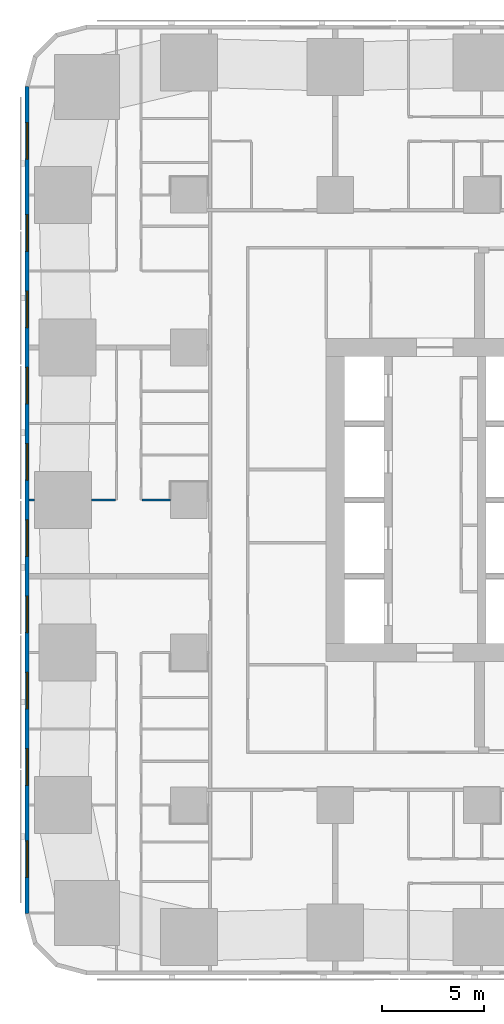
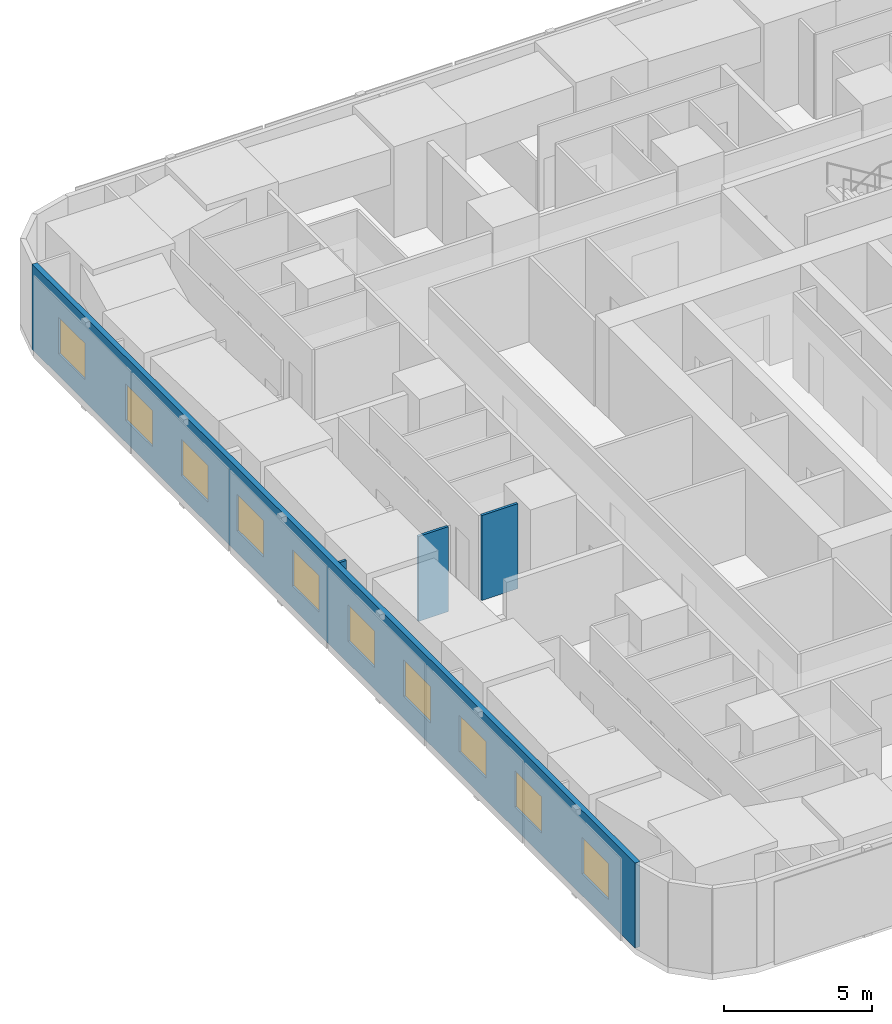
# One storey, part 4 of 18: 10 windows, 4 walls, 10 openings.
"""IFC4 building model written with IfcOpenShell, lengths in metres."""

from ifc_helpers import new_model, si_unit, direction, frame, frame_2d, origin, place, context, subcontext, project, spatial, rectangle, extrude, material, layer, layer_set, type_object, element, fill, save


model = new_model("IFC4")

# Units and contexts
model_context = context("Model", 3, precision=1e-05, world=origin(), true_north=direction((0.0, 1.0)))
body_context = subcontext(model_context, "Body", "Model", "MODEL_VIEW")
ifc_project = project(units=[si_unit("LENGTHUNIT", "METRE"), si_unit("AREAUNIT", "SQUARE_METRE"), si_unit("VOLUMEUNIT", "CUBIC_METRE"), si_unit("PLANEANGLEUNIT", "RADIAN"), si_unit("MASSUNIT", "GRAM", prefix="KILO")], contexts=[model_context])

# Site, building, storey
site_placement = place(None, origin())
site = spatial("IfcSite", under=ifc_project, at=site_placement, CompositionType="ELEMENT")
building_placement = place(site_placement, origin())
building = spatial("IfcBuilding", under=site, at=building_placement, Name="Sheger Commons Tower", CompositionType="ELEMENT")
storey_placement = place(building_placement, frame((0.0, 0.0, 35.0)))
storey = spatial("IfcBuildingStorey", under=building, at=storey_placement, Name="L08", CompositionType="ELEMENT", Elevation=35.0)

# Wall, openings, windows
ifc_material_1 = material(Name="Rendered concrete block masonry, dark grey", Category="masonry")
ifc_layer_1 = layer(ifc_material_1, 0.199951171875)
ifc_layer_set_1 = layer_set([ifc_layer_1], Name="FACADE WALL 200")
wall_type_1 = type_object("IfcWallType", Name="FACADE WALL 200", PredefinedType="SOLIDWALL", material=ifc_layer_set_1)
wall_1_placement = place(storey_placement, frame((-0.75, 42.8369140625, 0.0), z_axis=(0.0, 0.0, 1.0), x_axis=(0.0, -1.0, 0.0)))
wall_1 = element("IfcWall", 1, at=wall_1_placement, inside=storey, type_object=wall_type_1, Name="Facade wall L08", PredefinedType="SOLIDWALL", context=body_context, shape_type="SweptSolid", body=[
    extrude(rectangle(XDim=40.673828125, YDim=0.199951171875, at=frame_2d((20.3369140625, 0.0))), origin(), (0.0, 0.0, 1.0), 3.5),
])
opening_1_placement = place(wall_1_placement, frame((1.780029296875, 0.0, 0.89990234375)))
opening_1 = element("IfcOpeningElement", 2, at=opening_1_placement, cuts=wall_1, Name="Opening W2", PredefinedType="OPENING", context=body_context, shape_type="SweptSolid", body=[
    extrude(rectangle(XDim=1.800048828125, YDim=1.5, at=frame_2d((0.89990234375, 0.75))), frame((0.0, 0.10986328125, 0.0), z_axis=(0.0, -1.0, 0.0), x_axis=(1.0, 0.0, 0.0)), (0.0, 0.0, 1.0), 0.219970703125),
])
opening_2_placement = place(wall_1_placement, frame((6.31201171875, 0.0, 0.89990234375)))
opening_2 = element("IfcOpeningElement", 3, at=opening_2_placement, cuts=wall_1, Name="Opening W2", PredefinedType="OPENING", context=body_context, shape_type="SweptSolid", body=[
    extrude(rectangle(XDim=1.800048828125, YDim=1.5, at=frame_2d((0.89990234375, 0.75))), frame((0.0, 0.10986328125, 0.0), z_axis=(0.0, -1.0, 0.0), x_axis=(1.0, 0.0, 0.0)), (0.0, 0.0, 1.0), 0.219970703125),
])
opening_3_placement = place(wall_1_placement, frame((10.06201171875, 0.0, 0.89990234375)))
opening_3 = element("IfcOpeningElement", 4, at=opening_3_placement, cuts=wall_1, Name="Opening W2", PredefinedType="OPENING", context=body_context, shape_type="SweptSolid", body=[
    extrude(rectangle(XDim=1.800048828125, YDim=1.5, at=frame_2d((0.89990234375, 0.75))), frame((0.0, 0.10986328125, 0.0), z_axis=(0.0, -1.0, 0.0), x_axis=(1.0, 0.0, 0.0)), (0.0, 0.0, 1.0), 0.219970703125),
])
opening_4_placement = place(wall_1_placement, frame((13.81201171875, 0.0, 0.89990234375)))
opening_4 = element("IfcOpeningElement", 5, at=opening_4_placement, cuts=wall_1, Name="Opening W2", PredefinedType="OPENING", context=body_context, shape_type="SweptSolid", body=[
    extrude(rectangle(XDim=1.800048828125, YDim=1.5, at=frame_2d((0.89990234375, 0.75))), frame((0.0, 0.10986328125, 0.0), z_axis=(0.0, -1.0, 0.0), x_axis=(1.0, 0.0, 0.0)), (0.0, 0.0, 1.0), 0.219970703125),
])
opening_5_placement = place(wall_1_placement, frame((17.56201171875, 0.0, 0.89990234375)))
opening_5 = element("IfcOpeningElement", 6, at=opening_5_placement, cuts=wall_1, Name="Opening W2", PredefinedType="OPENING", context=body_context, shape_type="SweptSolid", body=[
    extrude(rectangle(XDim=1.800048828125, YDim=1.5, at=frame_2d((0.89990234375, 0.75))), frame((0.0, 0.10986328125, 0.0), z_axis=(0.0, -1.0, 0.0), x_axis=(1.0, 0.0, 0.0)), (0.0, 0.0, 1.0), 0.219970703125),
])
opening_6_placement = place(wall_1_placement, frame((21.31201171875, 0.0, 0.89990234375)))
opening_6 = element("IfcOpeningElement", 7, at=opening_6_placement, cuts=wall_1, Name="Opening W2", PredefinedType="OPENING", context=body_context, shape_type="SweptSolid", body=[
    extrude(rectangle(XDim=1.800048828125, YDim=1.5, at=frame_2d((0.89990234375, 0.75))), frame((0.0, 0.10986328125, 0.0), z_axis=(0.0, -1.0, 0.0), x_axis=(1.0, 0.0, 0.0)), (0.0, 0.0, 1.0), 0.219970703125),
])
opening_7_placement = place(wall_1_placement, frame((25.06201171875, 0.0, 0.89990234375)))
opening_7 = element("IfcOpeningElement", 8, at=opening_7_placement, cuts=wall_1, Name="Opening W2", PredefinedType="OPENING", context=body_context, shape_type="SweptSolid", body=[
    extrude(rectangle(XDim=1.800048828125, YDim=1.5, at=frame_2d((0.89990234375, 0.75))), frame((0.0, 0.10986328125, 0.0), z_axis=(0.0, -1.0, 0.0), x_axis=(1.0, 0.0, 0.0)), (0.0, 0.0, 1.0), 0.219970703125),
])
opening_8_placement = place(wall_1_placement, frame((28.81201171875, 0.0, 0.89990234375)))
opening_8 = element("IfcOpeningElement", 9, at=opening_8_placement, cuts=wall_1, Name="Opening W2", PredefinedType="OPENING", context=body_context, shape_type="SweptSolid", body=[
    extrude(rectangle(XDim=1.800048828125, YDim=1.5, at=frame_2d((0.89990234375, 0.75))), frame((0.0, 0.10986328125, 0.0), z_axis=(0.0, -1.0, 0.0), x_axis=(1.0, 0.0, 0.0)), (0.0, 0.0, 1.0), 0.219970703125),
])
opening_9_placement = place(wall_1_placement, frame((32.56201171875, 0.0, 0.89990234375)))
opening_9 = element("IfcOpeningElement", 10, at=opening_9_placement, cuts=wall_1, Name="Opening W2", PredefinedType="OPENING", context=body_context, shape_type="SweptSolid", body=[
    extrude(rectangle(XDim=1.800048828125, YDim=1.5, at=frame_2d((0.89990234375, 0.75))), frame((0.0, 0.10986328125, 0.0), z_axis=(0.0, -1.0, 0.0), x_axis=(1.0, 0.0, 0.0)), (0.0, 0.0, 1.0), 0.219970703125),
])
opening_10_placement = place(wall_1_placement, frame((37.093994140625, 0.0, 0.89990234375)))
opening_10 = element("IfcOpeningElement", 11, at=opening_10_placement, cuts=wall_1, Name="Opening W2", PredefinedType="OPENING", context=body_context, shape_type="SweptSolid", body=[
    extrude(rectangle(XDim=1.800048828125, YDim=1.5, at=frame_2d((0.89990234375, 0.75))), frame((0.0, 0.10986328125, 0.0), z_axis=(0.0, -1.0, 0.0), x_axis=(1.0, 0.0, 0.0)), (0.0, 0.0, 1.0), 0.219970703125),
])
ifc_material_2 = material(Name="Black aluminium frame, dark tinted double glazing", Category="aluminium")
window_type = type_object("IfcWindowType", Name="WINDOW W2 1800x1500", PartitioningType="SINGLE_PANEL", PredefinedType="WINDOW", material=ifc_material_2)
window_1_placement = place(opening_1_placement, origin())
window_1 = element("IfcWindow", 12, at=window_1_placement, inside=storey, type_object=window_type, Name="Window W2 1800X1500", OverallHeight=1.5, OverallWidth=1.800048828125, PartitioningType="SINGLE_PANEL", PredefinedType="WINDOW", context=body_context, shape_type="SweptSolid", body=[
    extrude(rectangle(XDim=1.800048828125, YDim=1.5, at=frame_2d((0.89990234375, 0.75))), frame((0.0, 0.030029296875, 0.0), z_axis=(0.0, -1.0, 0.0), x_axis=(1.0, 0.0, 0.0)), (0.0, 0.0, 1.0), 0.06005859375),
])
fill(opening_1, window_1)
window_2_placement = place(opening_2_placement, origin())
window_2 = element("IfcWindow", 13, at=window_2_placement, inside=storey, type_object=window_type, Name="Window W2 1800X1500", OverallHeight=1.5, OverallWidth=1.800048828125, PartitioningType="SINGLE_PANEL", PredefinedType="WINDOW", context=body_context, shape_type="SweptSolid", body=[
    extrude(rectangle(XDim=1.800048828125, YDim=1.5, at=frame_2d((0.89990234375, 0.75))), frame((0.0, 0.030029296875, 0.0), z_axis=(0.0, -1.0, 0.0), x_axis=(1.0, 0.0, 0.0)), (0.0, 0.0, 1.0), 0.06005859375),
])
fill(opening_2, window_2)
window_3_placement = place(opening_3_placement, origin())
window_3 = element("IfcWindow", 14, at=window_3_placement, inside=storey, type_object=window_type, Name="Window W2 1800X1500", OverallHeight=1.5, OverallWidth=1.800048828125, PartitioningType="SINGLE_PANEL", PredefinedType="WINDOW", context=body_context, shape_type="SweptSolid", body=[
    extrude(rectangle(XDim=1.800048828125, YDim=1.5, at=frame_2d((0.89990234375, 0.75))), frame((0.0, 0.030029296875, 0.0), z_axis=(0.0, -1.0, 0.0), x_axis=(1.0, 0.0, 0.0)), (0.0, 0.0, 1.0), 0.06005859375),
])
fill(opening_3, window_3)
window_4_placement = place(opening_4_placement, origin())
window_4 = element("IfcWindow", 15, at=window_4_placement, inside=storey, type_object=window_type, Name="Window W2 1800X1500", OverallHeight=1.5, OverallWidth=1.800048828125, PartitioningType="SINGLE_PANEL", PredefinedType="WINDOW", context=body_context, shape_type="SweptSolid", body=[
    extrude(rectangle(XDim=1.800048828125, YDim=1.5, at=frame_2d((0.89990234375, 0.75))), frame((0.0, 0.030029296875, 0.0), z_axis=(0.0, -1.0, 0.0), x_axis=(1.0, 0.0, 0.0)), (0.0, 0.0, 1.0), 0.06005859375),
])
fill(opening_4, window_4)
window_5_placement = place(opening_5_placement, origin())
window_5 = element("IfcWindow", 16, at=window_5_placement, inside=storey, type_object=window_type, Name="Window W2 1800X1500", OverallHeight=1.5, OverallWidth=1.800048828125, PartitioningType="SINGLE_PANEL", PredefinedType="WINDOW", context=body_context, shape_type="SweptSolid", body=[
    extrude(rectangle(XDim=1.800048828125, YDim=1.5, at=frame_2d((0.89990234375, 0.75))), frame((0.0, 0.030029296875, 0.0), z_axis=(0.0, -1.0, 0.0), x_axis=(1.0, 0.0, 0.0)), (0.0, 0.0, 1.0), 0.06005859375),
])
fill(opening_5, window_5)
window_6_placement = place(opening_6_placement, origin())
window_6 = element("IfcWindow", 17, at=window_6_placement, inside=storey, type_object=window_type, Name="Window W2 1800X1500", OverallHeight=1.5, OverallWidth=1.800048828125, PartitioningType="SINGLE_PANEL", PredefinedType="WINDOW", context=body_context, shape_type="SweptSolid", body=[
    extrude(rectangle(XDim=1.800048828125, YDim=1.5, at=frame_2d((0.89990234375, 0.75))), frame((0.0, 0.030029296875, 0.0), z_axis=(0.0, -1.0, 0.0), x_axis=(1.0, 0.0, 0.0)), (0.0, 0.0, 1.0), 0.06005859375),
])
fill(opening_6, window_6)
window_7_placement = place(opening_7_placement, origin())
window_7 = element("IfcWindow", 18, at=window_7_placement, inside=storey, type_object=window_type, Name="Window W2 1800X1500", OverallHeight=1.5, OverallWidth=1.800048828125, PartitioningType="SINGLE_PANEL", PredefinedType="WINDOW", context=body_context, shape_type="SweptSolid", body=[
    extrude(rectangle(XDim=1.800048828125, YDim=1.5, at=frame_2d((0.89990234375, 0.75))), frame((0.0, 0.030029296875, 0.0), z_axis=(0.0, -1.0, 0.0), x_axis=(1.0, 0.0, 0.0)), (0.0, 0.0, 1.0), 0.06005859375),
])
fill(opening_7, window_7)
window_8_placement = place(opening_8_placement, origin())
window_8 = element("IfcWindow", 19, at=window_8_placement, inside=storey, type_object=window_type, Name="Window W2 1800X1500", OverallHeight=1.5, OverallWidth=1.800048828125, PartitioningType="SINGLE_PANEL", PredefinedType="WINDOW", context=body_context, shape_type="SweptSolid", body=[
    extrude(rectangle(XDim=1.800048828125, YDim=1.5, at=frame_2d((0.89990234375, 0.75))), frame((0.0, 0.030029296875, 0.0), z_axis=(0.0, -1.0, 0.0), x_axis=(1.0, 0.0, 0.0)), (0.0, 0.0, 1.0), 0.06005859375),
])
fill(opening_8, window_8)
window_9_placement = place(opening_9_placement, origin())
window_9 = element("IfcWindow", 20, at=window_9_placement, inside=storey, type_object=window_type, Name="Window W2 1800X1500", OverallHeight=1.5, OverallWidth=1.800048828125, PartitioningType="SINGLE_PANEL", PredefinedType="WINDOW", context=body_context, shape_type="SweptSolid", body=[
    extrude(rectangle(XDim=1.800048828125, YDim=1.5, at=frame_2d((0.89990234375, 0.75))), frame((0.0, 0.030029296875, 0.0), z_axis=(0.0, -1.0, 0.0), x_axis=(1.0, 0.0, 0.0)), (0.0, 0.0, 1.0), 0.06005859375),
])
fill(opening_9, window_9)
window_10_placement = place(opening_10_placement, origin())
window_10 = element("IfcWindow", 21, at=window_10_placement, inside=storey, type_object=window_type, Name="Window W2 1800X1500", OverallHeight=1.5, OverallWidth=1.800048828125, PartitioningType="SINGLE_PANEL", PredefinedType="WINDOW", context=body_context, shape_type="SweptSolid", body=[
    extrude(rectangle(XDim=1.800048828125, YDim=1.5, at=frame_2d((0.89990234375, 0.75))), frame((0.0, 0.030029296875, 0.0), z_axis=(0.0, -1.0, 0.0), x_axis=(1.0, 0.0, 0.0)), (0.0, 0.0, 1.0), 0.06005859375),
])
fill(opening_10, window_10)

# Walls
ifc_material_3 = material(Name="Gypsum board on steel studs", Category="steel")
ifc_layer_2 = layer(ifc_material_3, 0.10009765625)
ifc_layer_set_2 = layer_set([ifc_layer_2], Name="PARTITION 100")
wall_type_2 = type_object("IfcWallType", Name="PARTITION 100", PredefinedType="PARTITIONING", material=ifc_layer_set_2)
wall_2_placement = place(storey_placement, frame((-0.64990234375, 22.5, 0.0), z_axis=(0.0, 0.0, 1.0), x_axis=(1.0, 0.0, 0.0)))
element("IfcWall", 22, at=wall_2_placement, inside=storey, type_object=wall_type_2, Name="Partition L08", PredefinedType="PARTITIONING", context=body_context, shape_type="SweptSolid", body=[
    extrude(rectangle(XDim=0.27392578125, YDim=0.10009765625, at=frame_2d((0.136962890625, 0.0))), origin(), (0.0, 0.0, 1.0), 3.5),
])
wall_3_placement = place(storey_placement, frame((2.426025390625, 22.5, 0.0), z_axis=(0.0, 0.0, 1.0), x_axis=(1.0, 0.0, 0.0)))
element("IfcWall", 23, at=wall_3_placement, inside=storey, type_object=wall_type_2, Name="Partition L08", PredefinedType="PARTITIONING", context=body_context, shape_type="SweptSolid", body=[
    extrude(rectangle(XDim=1.174072265625, YDim=0.10009765625, at=frame_2d((0.5869140625, 0.0))), origin(), (0.0, 0.0, 1.0), 3.5),
])
wall_4_placement = place(storey_placement, frame((4.89990234375, 22.5, 0.0), z_axis=(0.0, 0.0, 1.0), x_axis=(1.0, 0.0, 0.0)))
element("IfcWall", 24, at=wall_4_placement, inside=storey, type_object=wall_type_2, Name="Partition L08", PredefinedType="PARTITIONING", context=body_context, shape_type="SweptSolid", body=[
    extrude(rectangle(XDim=1.399169921875, YDim=0.10009765625, at=frame_2d((0.69970703125, 0.0))), origin(), (0.0, 0.0, 1.0), 3.5),
])

save(model, "model.ifc")
